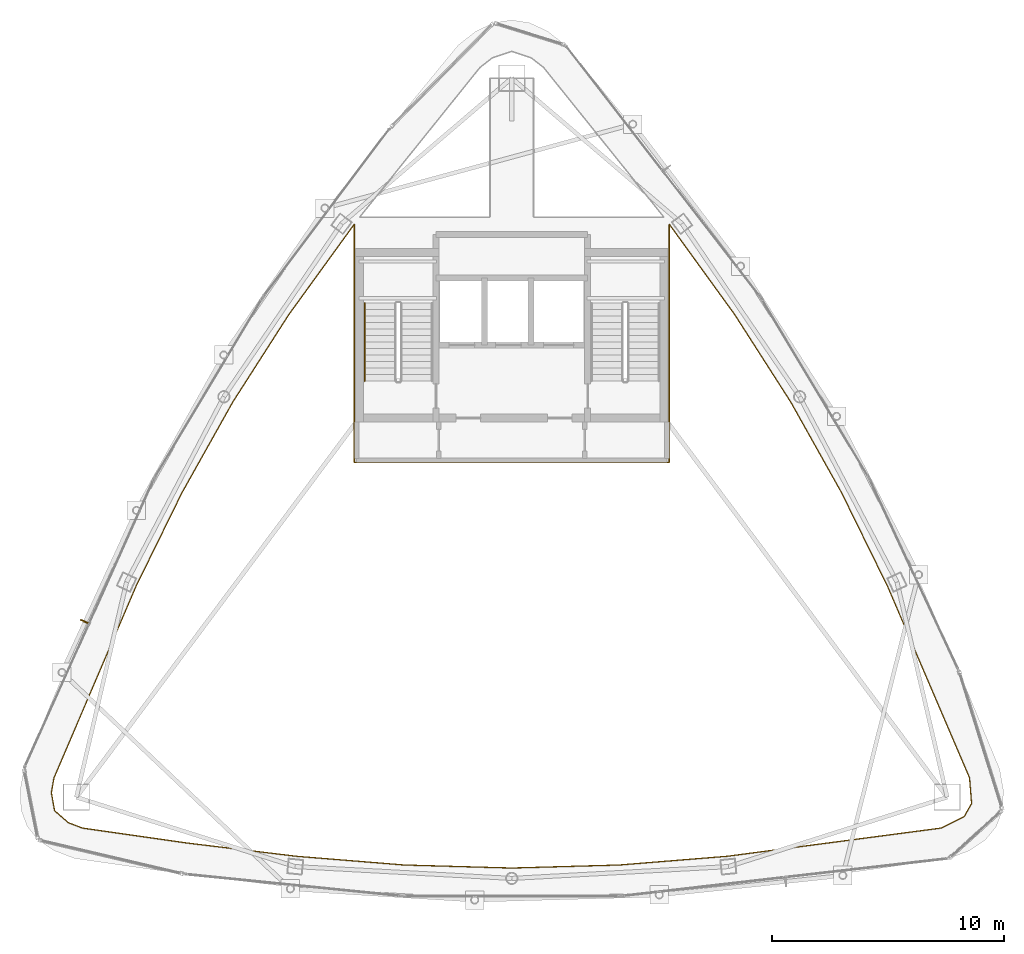
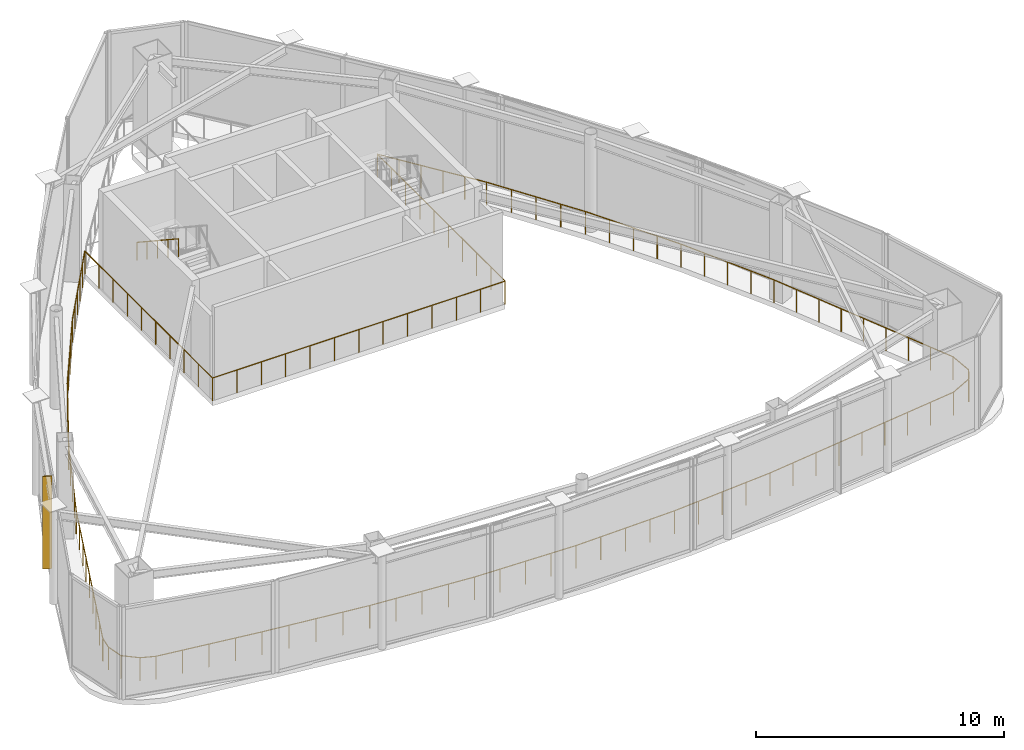
# One storey, part 17 of 19: 2 railings, 1 shading device.
"""IFC4 building model written with IfcOpenShell, lengths in metres."""

from ifc_helpers import new_model, si_unit, direction, frame, origin, origin_2d, place, context, subcontext, project, spatial, rectangle, circle, extrude, material, layer, layer_set, type_object, element, save


model = new_model("IFC4")

# Units and contexts
model_context = context("Model", 3, precision=1e-05, world=origin(), true_north=direction((0.0, 1.0)))
body_context = subcontext(model_context, "Body", "Model", "MODEL_VIEW")
ifc_project = project(units=[si_unit("LENGTHUNIT", "METRE"), si_unit("AREAUNIT", "SQUARE_METRE"), si_unit("VOLUMEUNIT", "CUBIC_METRE"), si_unit("PLANEANGLEUNIT", "RADIAN"), si_unit("MASSUNIT", "GRAM", prefix="KILO")], contexts=[model_context])

# Site, building, storey
site_placement = place(None, origin())
site = spatial("IfcSite", under=ifc_project, at=site_placement, CompositionType="ELEMENT")
building_placement = place(site_placement, origin())
building = spatial("IfcBuilding", under=site, at=building_placement, Name="Orvanel Arch Residences", CompositionType="ELEMENT")
storey_placement = place(building_placement, frame((0.0, 0.0, 290.89990234375)))
storey = spatial("IfcBuildingStorey", under=building, at=storey_placement, Name="L82", CompositionType="ELEMENT", Elevation=290.89990234375)

# Shading device
ifc_material_1 = material(Name="Bronze-anodised aluminium AA6063-T6", Category="aluminium")
ifc_layer = layer(ifc_material_1, 0.06005859375)
ifc_layer_set = layer_set([ifc_layer], Name="Bronze-anodised aluminium AA6063-T6")
shading_device_type = type_object("IfcShadingDeviceType", Name="FIN-BRZ-380", PredefinedType="USERDEFINED", material=ifc_layer_set)
shading_device_placement = place(storey_placement, frame((14.550048828125, 17.93603515625, 0.0), z_axis=(0.0, 0.0, 1.0), x_axis=(-0.912120116172, 0.409923033842, 0.0)))
element("IfcShadingDevice", 1, at=shading_device_placement, inside=storey, type_object=shading_device_type, Name="L82 Anodised Bronze Mullion FIN 01", ObjectType="FIN", PredefinedType="USERDEFINED", context=body_context, shape_type="SweptSolid", body=[
    extrude(rectangle(XDim=0.3798828125, YDim=0.06005859375, at=origin_2d()), origin(), (0.0, 0.0, 1.0), 4.550048828125),
])

# Railings
railing_type_1 = type_object("IfcRailingType", Name="RL-ATR-1150", PredefinedType="BALUSTRADE", material=ifc_material_1)
railing_1_placement = place(storey_placement, frame((42.626953125, 31.18310546875, 0.0)))
element("IfcRailing", 2, at=railing_1_placement, inside=storey, type_object=railing_type_1, Name="L82 Crown Conservatory Void 2 Balustrade", PredefinedType="BALUSTRADE", context=body_context, shape_type="SweptSolid", body=[
    extrude(circle(Radius=0.02392578125, at=origin_2d()), frame((0.000732421875, -0.001220703125, 1.1259765625), z_axis=(0.539449316925, -0.842018072531, 0.0), x_axis=(0.842018072531, 0.539449316925, 0.0)), (0.0, 0.0, 1.0), 4.479248046875),
    extrude(circle(Radius=0.02392578125, at=origin_2d()), frame((2.418701171875, -3.775390625, 1.1259765625), z_axis=(0.488877026727, -0.872352711201, 0.0), x_axis=(0.872352711201, 0.488877026727, 0.0)), (0.0, 0.0, 1.0), 4.47900390625),
    extrude(circle(Radius=0.02392578125, at=origin_2d()), frame((4.60986328125, -7.685546875, 1.1259765625), z_axis=(0.440900053408, -0.897556205986, 0.0), x_axis=(0.897556205986, 0.440900053408, 0.0)), (0.0, 0.0, 1.0), 4.506103515625),
    extrude(circle(Radius=0.02392578125, at=origin_2d()), frame((6.59765625, -11.732666015625, 1.1259765625), z_axis=(0.393624390708, -0.919271363113, 0.0), x_axis=(0.919271363113, 0.393624390708, 0.0)), (0.0, 0.0, 1.0), 8.98974609375),
    extrude(circle(Radius=0.02392578125, at=origin_2d()), frame((10.136962890625, -19.99951171875, 1.1259765625), z_axis=(0.078340921398, -0.996926627207, 0.0), x_axis=(0.996926627207, 0.078340921398, 0.0)), (0.0, 0.0, 1.0), 1.109619140625),
    extrude(circle(Radius=0.02392578125, at=origin_2d()), frame((10.223388671875, -21.1083984375, 1.1259765625), z_axis=(-0.492907253875, -0.870081857688, 0.0), x_axis=(0.870081857688, -0.492907253875, 0.0)), (0.0, 0.0, 1.0), 0.640380859375),
    extrude(circle(Radius=0.02392578125, at=origin_2d()), frame((9.90576171875, -21.667724609375, 1.1259765625), z_axis=(-0.89473528006, -0.446596886035, 0.0), x_axis=(0.446596886035, -0.89473528006, 0.0)), (0.0, 0.0, 1.0), 1.105712890625),
    extrude(circle(Radius=0.02392578125, at=origin_2d()), frame((8.91357421875, -22.162353515625, 1.1259765625), z_axis=(-0.99141795724, -0.130730386908, 0.0), x_axis=(0.130730386908, -0.99141795724, 0.0)), (0.0, 0.0, 1.0), 9.31396484375),
    extrude(circle(Radius=0.02392578125, at=origin_2d()), frame((-0.323486328125, -23.380126953125, 1.1259765625), z_axis=(-0.996741433639, -0.08066296837, 0.0), x_axis=(0.08066296837, -0.996741433639, 0.0)), (0.0, 0.0, 1.0), 4.670166015625),
    extrude(circle(Radius=0.02392578125, at=origin_2d()), frame((-4.9814453125, -23.757080078125, 1.1259765625), z_axis=(-0.999602259989, -0.028201450752, 0.0), x_axis=(0.028201450752, -0.999602259989, 0.0)), (0.0, 0.0, 1.0), 4.645751953125),
    extrude(circle(Radius=0.02392578125, at=origin_2d()), frame((-9.62841796875, -23.88818359375, 1.1259765625), z_axis=(-0.999602259989, 0.028201450752, 0.0), x_axis=(-0.028201450752, -0.999602259989, 0.0)), (0.0, 0.0, 1.0), 4.645751953125),
    extrude(circle(Radius=0.02392578125, at=origin_2d()), frame((-14.275390625, -23.757080078125, 1.1259765625), z_axis=(-0.996741433639, 0.08066296837, 0.0), x_axis=(-0.08066296837, -0.996741433639, 0.0)), (0.0, 0.0, 1.0), 4.670166015625),
    extrude(circle(Radius=0.02392578125, at=origin_2d()), frame((-18.933349609375, -23.3798828125, 1.1259765625), z_axis=(-0.992737718176, 0.120298889897, 0.0), x_axis=(-0.120298889897, -0.992737718176, 0.0)), (0.0, 0.0, 1.0), 4.71142578125),
    extrude(circle(Radius=0.02392578125, at=origin_2d()), frame((-23.613525390625, -22.812744140625, 1.1259765625), z_axis=(-0.989952675685, 0.141399080277, 0.0), x_axis=(-0.141399080277, -0.989952675685, 0.0)), (0.0, 0.0, 1.0), 4.60009765625),
    extrude(circle(Radius=0.02392578125, at=origin_2d()), frame((-28.17041015625, -22.16162109375, 1.1259765625), z_axis=(-0.933423126079, 0.358777462643, 0.0), x_axis=(-0.358777462643, -0.933423126079, 0.0)), (0.0, 0.0, 1.0), 0.646240234375),
    extrude(circle(Radius=0.02392578125, at=origin_2d()), frame((-28.776123046875, -21.92822265625, 1.1259765625), z_axis=(-0.753867638629, 0.657026318673, 0.0), x_axis=(-0.657026318673, -0.753867638629, 0.0)), (0.0, 0.0, 1.0), 0.781005859375),
    extrude(circle(Radius=0.02392578125, at=origin_2d()), frame((-29.3662109375, -21.41259765625, 1.1259765625), z_axis=(-0.175683017964, 0.984446787388, 0.0), x_axis=(-0.984446787388, -0.175683017964, 0.0)), (0.0, 0.0, 1.0), 0.7822265625),
    extrude(circle(Radius=0.02392578125, at=origin_2d()), frame((-29.503662109375, -20.6396484375, 1.1259765625), z_axis=(0.173124037048, 0.984900029341, 0.0), x_axis=(-0.984900029341, 0.173124037048, 0.0)), (0.0, 0.0, 1.0), 0.64990234375),
    extrude(circle(Radius=0.02392578125, at=origin_2d()), frame((-29.390380859375, -19.99658203125, 1.1259765625), z_axis=(0.393624390708, 0.919271363113, 0.0), x_axis=(-0.919271363113, 0.393624390708, 0.0)), (0.0, 0.0, 1.0), 8.98974609375),
    extrude(circle(Radius=0.02392578125, at=origin_2d()), frame((-25.850341796875, -11.729736328125, 1.1259765625), z_axis=(0.440900053408, 0.897556205986, 0.0), x_axis=(-0.897556205986, 0.440900053408, 0.0)), (0.0, 0.0, 1.0), 4.506103515625),
    extrude(circle(Radius=0.02392578125, at=origin_2d()), frame((-23.8623046875, -7.682861328125, 1.1259765625), z_axis=(0.488877026727, 0.872352711201, 0.0), x_axis=(-0.872352711201, 0.488877026727, 0.0)), (0.0, 0.0, 1.0), 4.47900390625),
    extrude(circle(Radius=0.02392578125, at=origin_2d()), frame((-21.671142578125, -3.77294921875, 1.1259765625), z_axis=(0.539449316925, 0.842018072531, 0.0), x_axis=(-0.842018072531, 0.539449316925, 0.0)), (0.0, 0.0, 1.0), 4.479248046875),
    extrude(circle(Radius=0.02392578125, at=origin_2d()), frame((-19.2529296875, 0.001220703125, 1.1259765625), z_axis=(0.58641472095, 0.810010972181, 0.0), x_axis=(-0.810010972181, 0.58641472095, 0.0)), (0.0, 0.0, 1.0), 4.817626953125),
    extrude(circle(Radius=0.02392578125, at=origin_2d()), frame((-16.427001953125, 3.9033203125, 1.1259765625), z_axis=(0.0, -1.0, 0.0), x_axis=(1.0, 0.0, 0.0)), (0.0, 0.0, 1.0), 10.284912109375),
    extrude(circle(Radius=0.02392578125, at=origin_2d()), frame((-16.425537109375, -6.383056640625, 1.1259765625), z_axis=(1.0, 0.0, 0.0), x_axis=(0.0, 1.0, 0.0)), (0.0, 0.0, 1.0), 13.59716796875),
    extrude(circle(Radius=0.02392578125, at=origin_2d()), frame((-2.826904296875, -6.381591796875, 1.1259765625), z_axis=(0.0, 1.0, 0.0), x_axis=(-1.0, 0.0, 0.0)), (0.0, 0.0, 1.0), 10.284912109375),
    extrude(circle(Radius=0.02392578125, at=origin_2d()), frame((-2.825927734375, 3.903564453125, 1.1259765625), z_axis=(0.58641472095, -0.810010972181, 0.0), x_axis=(0.810010972181, 0.58641472095, 0.0)), (0.0, 0.0, 1.0), 4.817626953125),
    extrude(circle(Radius=0.02099609375, at=origin_2d()), origin(), (0.0, 0.0, 1.0), 1.099853515625),
    extrude(circle(Radius=0.02099609375, at=origin_2d()), frame((0.6044921875, -0.943603515625, 0.0)), (0.0, 0.0, 1.0), 1.099853515625),
    extrude(circle(Radius=0.02099609375, at=origin_2d()), frame((1.208984375, -1.88720703125, 0.0)), (0.0, 0.0, 1.0), 1.099853515625),
    extrude(circle(Radius=0.02099609375, at=origin_2d()), frame((1.8134765625, -2.83056640625, 0.0)), (0.0, 0.0, 1.0), 1.099853515625),
    extrude(circle(Radius=0.02099609375, at=origin_2d()), frame((2.41796875, -3.774169921875, 0.0)), (0.0, 0.0, 1.0), 1.099853515625),
    extrude(circle(Radius=0.02099609375, at=origin_2d()), frame((2.9658203125, -4.751708984375, 0.0)), (0.0, 0.0, 1.0), 1.099853515625),
    extrude(circle(Radius=0.02099609375, at=origin_2d()), frame((3.513671875, -5.72900390625, 0.0)), (0.0, 0.0, 1.0), 1.099853515625),
    extrude(circle(Radius=0.02099609375, at=origin_2d()), frame((4.061279296875, -6.70654296875, 0.0)), (0.0, 0.0, 1.0), 1.099853515625),
    extrude(circle(Radius=0.02099609375, at=origin_2d()), frame((4.609130859375, -7.68408203125, 0.0)), (0.0, 0.0, 1.0), 1.099853515625),
    extrude(circle(Radius=0.02099609375, at=origin_2d()), frame((5.106201171875, -8.69580078125, 0.0)), (0.0, 0.0, 1.0), 1.099853515625),
    extrude(circle(Radius=0.02099609375, at=origin_2d()), frame((5.60302734375, -9.70751953125, 0.0)), (0.0, 0.0, 1.0), 1.099853515625),
    extrude(circle(Radius=0.02099609375, at=origin_2d()), frame((6.10009765625, -10.719482421875, 0.0)), (0.0, 0.0, 1.0), 1.099853515625),
    extrude(circle(Radius=0.02099609375, at=origin_2d()), frame((6.59716796875, -11.731201171875, 0.0)), (0.0, 0.0, 1.0), 1.099853515625),
    extrude(circle(Radius=0.02099609375, at=origin_2d()), frame((7.03955078125, -12.7646484375, 0.0)), (0.0, 0.0, 1.0), 1.099853515625),
    extrude(circle(Radius=0.02099609375, at=origin_2d()), frame((7.482177734375, -13.7978515625, 0.0)), (0.0, 0.0, 1.0), 1.099853515625),
    extrude(circle(Radius=0.02099609375, at=origin_2d()), frame((7.924560546875, -14.831298828125, 0.0)), (0.0, 0.0, 1.0), 1.099853515625),
    extrude(circle(Radius=0.02099609375, at=origin_2d()), frame((8.3671875, -15.86474609375, 0.0)), (0.0, 0.0, 1.0), 1.099853515625),
    extrude(circle(Radius=0.02099609375, at=origin_2d()), frame((8.8095703125, -16.89794921875, 0.0)), (0.0, 0.0, 1.0), 1.099853515625),
    extrude(circle(Radius=0.02099609375, at=origin_2d()), frame((9.251953125, -17.931396484375, 0.0)), (0.0, 0.0, 1.0), 1.099853515625),
    extrude(circle(Radius=0.02099609375, at=origin_2d()), frame((9.694580078125, -18.964599609375, 0.0)), (0.0, 0.0, 1.0), 1.099853515625),
    extrude(circle(Radius=0.02099609375, at=origin_2d()), frame((10.136962890625, -19.998046875, 0.0)), (0.0, 0.0, 1.0), 1.099853515625),
    extrude(circle(Radius=0.02099609375, at=origin_2d()), frame((10.22412109375, -21.107177734375, 0.0)), (0.0, 0.0, 1.0), 1.099853515625),
    extrude(circle(Radius=0.02099609375, at=origin_2d()), frame((9.906982421875, -21.6669921875, 0.0)), (0.0, 0.0, 1.0), 1.099853515625),
    extrude(circle(Radius=0.02099609375, at=origin_2d()), frame((8.9150390625, -22.162109375, 0.0)), (0.0, 0.0, 1.0), 1.099853515625),
    extrude(circle(Radius=0.02099609375, at=origin_2d()), frame((7.760498046875, -22.314453125, 0.0)), (0.0, 0.0, 1.0), 1.099853515625),
    extrude(circle(Radius=0.02099609375, at=origin_2d()), frame((6.605712890625, -22.466552734375, 0.0)), (0.0, 0.0, 1.0), 1.099853515625),
    extrude(circle(Radius=0.02099609375, at=origin_2d()), frame((5.451171875, -22.618896484375, 0.0)), (0.0, 0.0, 1.0), 1.099853515625),
    extrude(circle(Radius=0.02099609375, at=origin_2d()), frame((4.29638671875, -22.77099609375, 0.0)), (0.0, 0.0, 1.0), 1.099853515625),
    extrude(circle(Radius=0.02099609375, at=origin_2d()), frame((3.141845703125, -22.92333984375, 0.0)), (0.0, 0.0, 1.0), 1.099853515625),
    extrude(circle(Radius=0.02099609375, at=origin_2d()), frame((1.9873046875, -23.07568359375, 0.0)), (0.0, 0.0, 1.0), 1.099853515625),
    extrude(circle(Radius=0.02099609375, at=origin_2d()), frame((0.83251953125, -23.227783203125, 0.0)), (0.0, 0.0, 1.0), 1.099853515625),
    extrude(circle(Radius=0.02099609375, at=origin_2d()), frame((-0.322021484375, -23.380126953125, 0.0)), (0.0, 0.0, 1.0), 1.099853515625),
    extrude(circle(Radius=0.02099609375, at=origin_2d()), frame((-1.486572265625, -23.474365234375, 0.0)), (0.0, 0.0, 1.0), 1.099853515625),
    extrude(circle(Radius=0.02099609375, at=origin_2d()), frame((-2.65087890625, -23.568603515625, 0.0)), (0.0, 0.0, 1.0), 1.099853515625),
    extrude(circle(Radius=0.02099609375, at=origin_2d()), frame((-3.8154296875, -23.662841796875, 0.0)), (0.0, 0.0, 1.0), 1.099853515625),
    extrude(circle(Radius=0.02099609375, at=origin_2d()), frame((-4.97998046875, -23.757080078125, 0.0)), (0.0, 0.0, 1.0), 1.099853515625),
    extrude(circle(Radius=0.02099609375, at=origin_2d()), frame((-6.1416015625, -23.789794921875, 0.0)), (0.0, 0.0, 1.0), 1.099853515625),
    extrude(circle(Radius=0.02099609375, at=origin_2d()), frame((-7.303466796875, -23.82275390625, 0.0)), (0.0, 0.0, 1.0), 1.099853515625),
    extrude(circle(Radius=0.02099609375, at=origin_2d()), frame((-8.46533203125, -23.85546875, 0.0)), (0.0, 0.0, 1.0), 1.099853515625),
    extrude(circle(Radius=0.02099609375, at=origin_2d()), frame((-9.626953125, -23.88818359375, 0.0)), (0.0, 0.0, 1.0), 1.099853515625),
    extrude(circle(Radius=0.02099609375, at=origin_2d()), frame((-10.78857421875, -23.85546875, 0.0)), (0.0, 0.0, 1.0), 1.099853515625),
    extrude(circle(Radius=0.02099609375, at=origin_2d()), frame((-11.950439453125, -23.82275390625, 0.0)), (0.0, 0.0, 1.0), 1.099853515625),
    extrude(circle(Radius=0.02099609375, at=origin_2d()), frame((-13.1123046875, -23.789794921875, 0.0)), (0.0, 0.0, 1.0), 1.099853515625),
    extrude(circle(Radius=0.02099609375, at=origin_2d()), frame((-14.27392578125, -23.757080078125, 0.0)), (0.0, 0.0, 1.0), 1.099853515625),
    extrude(circle(Radius=0.02099609375, at=origin_2d()), frame((-15.4384765625, -23.662841796875, 0.0)), (0.0, 0.0, 1.0), 1.099853515625),
    extrude(circle(Radius=0.02099609375, at=origin_2d()), frame((-16.60302734375, -23.568603515625, 0.0)), (0.0, 0.0, 1.0), 1.099853515625),
    extrude(circle(Radius=0.02099609375, at=origin_2d()), frame((-17.767333984375, -23.474365234375, 0.0)), (0.0, 0.0, 1.0), 1.099853515625),
    extrude(circle(Radius=0.02099609375, at=origin_2d()), frame((-18.931884765625, -23.380126953125, 0.0)), (0.0, 0.0, 1.0), 1.099853515625),
    extrude(circle(Radius=0.02099609375, at=origin_2d()), frame((-20.10205078125, -23.23828125, 0.0)), (0.0, 0.0, 1.0), 1.099853515625),
    extrude(circle(Radius=0.02099609375, at=origin_2d()), frame((-21.27197265625, -23.0966796875, 0.0)), (0.0, 0.0, 1.0), 1.099853515625),
    extrude(circle(Radius=0.02099609375, at=origin_2d()), frame((-22.44189453125, -22.954833984375, 0.0)), (0.0, 0.0, 1.0), 1.099853515625),
    extrude(circle(Radius=0.02099609375, at=origin_2d()), frame((-23.612060546875, -22.81298828125, 0.0)), (0.0, 0.0, 1.0), 1.099853515625),
    extrude(circle(Radius=0.02099609375, at=origin_2d()), frame((-24.751220703125, -22.650390625, 0.0)), (0.0, 0.0, 1.0), 1.099853515625),
    extrude(circle(Radius=0.02099609375, at=origin_2d()), frame((-25.890625, -22.487548828125, 0.0)), (0.0, 0.0, 1.0), 1.099853515625),
    extrude(circle(Radius=0.02099609375, at=origin_2d()), frame((-27.02978515625, -22.32470703125, 0.0)), (0.0, 0.0, 1.0), 1.099853515625),
    extrude(circle(Radius=0.02099609375, at=origin_2d()), frame((-28.1689453125, -22.162109375, 0.0)), (0.0, 0.0, 1.0), 1.099853515625),
    extrude(circle(Radius=0.02099609375, at=origin_2d()), frame((-28.77490234375, -21.92919921875, 0.0)), (0.0, 0.0, 1.0), 1.099853515625),
    extrude(circle(Radius=0.02099609375, at=origin_2d()), frame((-29.365966796875, -21.4140625, 0.0)), (0.0, 0.0, 1.0), 1.099853515625),
    extrude(circle(Radius=0.02099609375, at=origin_2d()), frame((-29.50390625, -20.64111328125, 0.0)), (0.0, 0.0, 1.0), 1.099853515625),
    extrude(circle(Radius=0.02099609375, at=origin_2d()), frame((-29.390869140625, -19.998046875, 0.0)), (0.0, 0.0, 1.0), 1.099853515625),
    extrude(circle(Radius=0.02099609375, at=origin_2d()), frame((-28.948486328125, -18.964599609375, 0.0)), (0.0, 0.0, 1.0), 1.099853515625),
    extrude(circle(Radius=0.02099609375, at=origin_2d()), frame((-28.505859375, -17.931396484375, 0.0)), (0.0, 0.0, 1.0), 1.099853515625),
    extrude(circle(Radius=0.02099609375, at=origin_2d()), frame((-28.0634765625, -16.89794921875, 0.0)), (0.0, 0.0, 1.0), 1.099853515625),
    extrude(circle(Radius=0.02099609375, at=origin_2d()), frame((-27.62109375, -15.86474609375, 0.0)), (0.0, 0.0, 1.0), 1.099853515625),
    extrude(circle(Radius=0.02099609375, at=origin_2d()), frame((-27.178466796875, -14.831298828125, 0.0)), (0.0, 0.0, 1.0), 1.099853515625),
    extrude(circle(Radius=0.02099609375, at=origin_2d()), frame((-26.736083984375, -13.7978515625, 0.0)), (0.0, 0.0, 1.0), 1.099853515625),
    extrude(circle(Radius=0.02099609375, at=origin_2d()), frame((-26.29345703125, -12.7646484375, 0.0)), (0.0, 0.0, 1.0), 1.099853515625),
    extrude(circle(Radius=0.02099609375, at=origin_2d()), frame((-25.85107421875, -11.731201171875, 0.0)), (0.0, 0.0, 1.0), 1.099853515625),
    extrude(circle(Radius=0.02099609375, at=origin_2d()), frame((-25.35400390625, -10.719482421875, 0.0)), (0.0, 0.0, 1.0), 1.099853515625),
    extrude(circle(Radius=0.02099609375, at=origin_2d()), frame((-24.85693359375, -9.70751953125, 0.0)), (0.0, 0.0, 1.0), 1.099853515625),
    extrude(circle(Radius=0.02099609375, at=origin_2d()), frame((-24.360107421875, -8.69580078125, 0.0)), (0.0, 0.0, 1.0), 1.099853515625),
    extrude(circle(Radius=0.02099609375, at=origin_2d()), frame((-23.863037109375, -7.68408203125, 0.0)), (0.0, 0.0, 1.0), 1.099853515625),
    extrude(circle(Radius=0.02099609375, at=origin_2d()), frame((-23.315185546875, -6.70654296875, 0.0)), (0.0, 0.0, 1.0), 1.099853515625),
    extrude(circle(Radius=0.02099609375, at=origin_2d()), frame((-22.767578125, -5.72900390625, 0.0)), (0.0, 0.0, 1.0), 1.099853515625),
    extrude(circle(Radius=0.02099609375, at=origin_2d()), frame((-22.2197265625, -4.751708984375, 0.0)), (0.0, 0.0, 1.0), 1.099853515625),
    extrude(circle(Radius=0.02099609375, at=origin_2d()), frame((-21.671875, -3.774169921875, 0.0)), (0.0, 0.0, 1.0), 1.099853515625),
    extrude(circle(Radius=0.02099609375, at=origin_2d()), frame((-21.0673828125, -2.83056640625, 0.0)), (0.0, 0.0, 1.0), 1.099853515625),
    extrude(circle(Radius=0.02099609375, at=origin_2d()), frame((-20.462890625, -1.88720703125, 0.0)), (0.0, 0.0, 1.0), 1.099853515625),
    extrude(circle(Radius=0.02099609375, at=origin_2d()), frame((-19.8583984375, -0.943603515625, 0.0)), (0.0, 0.0, 1.0), 1.099853515625),
    extrude(circle(Radius=0.02099609375, at=origin_2d()), frame((-19.25390625, 0.0, 0.0)), (0.0, 0.0, 1.0), 1.099853515625),
    extrude(circle(Radius=0.02099609375, at=origin_2d()), frame((-18.6884765625, 0.781005859375, 0.0)), (0.0, 0.0, 1.0), 1.099853515625),
    extrude(circle(Radius=0.02099609375, at=origin_2d()), frame((-18.123046875, 1.56201171875, 0.0)), (0.0, 0.0, 1.0), 1.099853515625),
    extrude(circle(Radius=0.02099609375, at=origin_2d()), frame((-17.557861328125, 2.3427734375, 0.0)), (0.0, 0.0, 1.0), 1.099853515625),
    extrude(circle(Radius=0.02099609375, at=origin_2d()), frame((-16.992431640625, 3.123779296875, 0.0)), (0.0, 0.0, 1.0), 1.099853515625),
    extrude(circle(Radius=0.02099609375, at=origin_2d()), frame((-16.427001953125, 3.90478515625, 0.0)), (0.0, 0.0, 1.0), 1.099853515625),
    extrude(circle(Radius=0.02099609375, at=origin_2d()), frame((-16.427001953125, 2.76171875, 0.0)), (0.0, 0.0, 1.0), 1.099853515625),
    extrude(circle(Radius=0.02099609375, at=origin_2d()), frame((-16.427001953125, 1.61865234375, 0.0)), (0.0, 0.0, 1.0), 1.099853515625),
    extrude(circle(Radius=0.02099609375, at=origin_2d()), frame((-16.427001953125, 0.4755859375, 0.0)), (0.0, 0.0, 1.0), 1.099853515625),
    extrude(circle(Radius=0.02099609375, at=origin_2d()), frame((-16.427001953125, -0.66748046875, 0.0)), (0.0, 0.0, 1.0), 1.099853515625),
    extrude(circle(Radius=0.02099609375, at=origin_2d()), frame((-16.427001953125, -1.810791015625, 0.0)), (0.0, 0.0, 1.0), 1.099853515625),
    extrude(circle(Radius=0.02099609375, at=origin_2d()), frame((-16.427001953125, -2.953857421875, 0.0)), (0.0, 0.0, 1.0), 1.099853515625),
    extrude(circle(Radius=0.02099609375, at=origin_2d()), frame((-16.427001953125, -4.096923828125, 0.0)), (0.0, 0.0, 1.0), 1.099853515625),
    extrude(circle(Radius=0.02099609375, at=origin_2d()), frame((-16.427001953125, -5.239990234375, 0.0)), (0.0, 0.0, 1.0), 1.099853515625),
    extrude(circle(Radius=0.02099609375, at=origin_2d()), frame((-16.427001953125, -6.383056640625, 0.0)), (0.0, 0.0, 1.0), 1.099853515625),
    extrude(circle(Radius=0.02099609375, at=origin_2d()), frame((-15.293701171875, -6.383056640625, 0.0)), (0.0, 0.0, 1.0), 1.099853515625),
    extrude(circle(Radius=0.02099609375, at=origin_2d()), frame((-14.160400390625, -6.383056640625, 0.0)), (0.0, 0.0, 1.0), 1.099853515625),
    extrude(circle(Radius=0.02099609375, at=origin_2d()), frame((-13.02685546875, -6.383056640625, 0.0)), (0.0, 0.0, 1.0), 1.099853515625),
    extrude(circle(Radius=0.02099609375, at=origin_2d()), frame((-11.8935546875, -6.383056640625, 0.0)), (0.0, 0.0, 1.0), 1.099853515625),
    extrude(circle(Radius=0.02099609375, at=origin_2d()), frame((-10.76025390625, -6.383056640625, 0.0)), (0.0, 0.0, 1.0), 1.099853515625),
    extrude(circle(Radius=0.02099609375, at=origin_2d()), frame((-9.626953125, -6.383056640625, 0.0)), (0.0, 0.0, 1.0), 1.099853515625),
    extrude(circle(Radius=0.02099609375, at=origin_2d()), frame((-8.49365234375, -6.383056640625, 0.0)), (0.0, 0.0, 1.0), 1.099853515625),
    extrude(circle(Radius=0.02099609375, at=origin_2d()), frame((-7.3603515625, -6.383056640625, 0.0)), (0.0, 0.0, 1.0), 1.099853515625),
    extrude(circle(Radius=0.02099609375, at=origin_2d()), frame((-6.22705078125, -6.383056640625, 0.0)), (0.0, 0.0, 1.0), 1.099853515625),
    extrude(circle(Radius=0.02099609375, at=origin_2d()), frame((-5.093505859375, -6.383056640625, 0.0)), (0.0, 0.0, 1.0), 1.099853515625),
    extrude(circle(Radius=0.02099609375, at=origin_2d()), frame((-3.960205078125, -6.383056640625, 0.0)), (0.0, 0.0, 1.0), 1.099853515625),
    extrude(circle(Radius=0.02099609375, at=origin_2d()), frame((-2.826904296875, -6.383056640625, 0.0)), (0.0, 0.0, 1.0), 1.099853515625),
    extrude(circle(Radius=0.02099609375, at=origin_2d()), frame((-2.826904296875, -5.239990234375, 0.0)), (0.0, 0.0, 1.0), 1.099853515625),
    extrude(circle(Radius=0.02099609375, at=origin_2d()), frame((-2.826904296875, -4.096923828125, 0.0)), (0.0, 0.0, 1.0), 1.099853515625),
    extrude(circle(Radius=0.02099609375, at=origin_2d()), frame((-2.826904296875, -2.953857421875, 0.0)), (0.0, 0.0, 1.0), 1.099853515625),
    extrude(circle(Radius=0.02099609375, at=origin_2d()), frame((-2.826904296875, -1.810791015625, 0.0)), (0.0, 0.0, 1.0), 1.099853515625),
    extrude(circle(Radius=0.02099609375, at=origin_2d()), frame((-2.826904296875, -0.66748046875, 0.0)), (0.0, 0.0, 1.0), 1.099853515625),
    extrude(circle(Radius=0.02099609375, at=origin_2d()), frame((-2.826904296875, 0.4755859375, 0.0)), (0.0, 0.0, 1.0), 1.099853515625),
    extrude(circle(Radius=0.02099609375, at=origin_2d()), frame((-2.826904296875, 1.61865234375, 0.0)), (0.0, 0.0, 1.0), 1.099853515625),
    extrude(circle(Radius=0.02099609375, at=origin_2d()), frame((-2.826904296875, 2.76171875, 0.0)), (0.0, 0.0, 1.0), 1.099853515625),
    extrude(circle(Radius=0.02099609375, at=origin_2d()), frame((-2.826904296875, 3.90478515625, 0.0)), (0.0, 0.0, 1.0), 1.099853515625),
    extrude(circle(Radius=0.02099609375, at=origin_2d()), frame((-2.261474609375, 3.123779296875, 0.0)), (0.0, 0.0, 1.0), 1.099853515625),
    extrude(circle(Radius=0.02099609375, at=origin_2d()), frame((-1.696044921875, 2.3427734375, 0.0)), (0.0, 0.0, 1.0), 1.099853515625),
    extrude(circle(Radius=0.02099609375, at=origin_2d()), frame((-1.130859375, 1.56201171875, 0.0)), (0.0, 0.0, 1.0), 1.099853515625),
    extrude(circle(Radius=0.02099609375, at=origin_2d()), frame((-0.5654296875, 0.781005859375, 0.0)), (0.0, 0.0, 1.0), 1.099853515625),
])
ifc_material_2 = material(Name="Structural steel AS/NZS 1163 C350L0 (Grade 350)", Category="steel")
railing_type_2 = type_object("IfcRailingType", Name="RL-STAIR-HAND", PredefinedType="HANDRAIL", material=ifc_material_2)
railing_2_placement = place(storey_placement, frame((26.64990234375, 31.679931640625, 2.584716796875)))
element("IfcRailing", 3, at=railing_2_placement, inside=storey, type_object=railing_type_2, Name="L82 ST-1 stair handrail 2", PredefinedType="HANDRAIL", context=body_context, shape_type="SweptSolid", body=[
    extrude(circle(Radius=0.02392578125, at=origin_2d()), frame((0.0, -0.001220703125, 0.876708984375), z_axis=(0.0, -0.834858096282, 0.550465220583), x_axis=(1.0, 0.0, 0.0)), (0.0, 0.0, 1.0), 4.021484375),
    extrude(circle(Radius=0.02099609375, at=origin_2d()), origin(), (0.0, 0.0, 1.0), 0.849853515625),
    extrude(circle(Radius=0.02099609375, at=origin_2d()), frame((0.0, -0.83984375, 0.5537109375)), (0.0, 0.0, 1.0), 0.849853515625),
    extrude(circle(Radius=0.02099609375, at=origin_2d()), frame((0.0, -1.679931640625, 1.107666015625)), (0.0, 0.0, 1.0), 0.849853515625),
    extrude(circle(Radius=0.02099609375, at=origin_2d()), frame((0.0, -2.52001953125, 1.66162109375)), (0.0, 0.0, 1.0), 0.849853515625),
    extrude(circle(Radius=0.02099609375, at=origin_2d()), frame((0.0, -3.35986328125, 2.21533203125)), (0.0, 0.0, 1.0), 0.849853515625),
])

save(model, "model.ifc")
